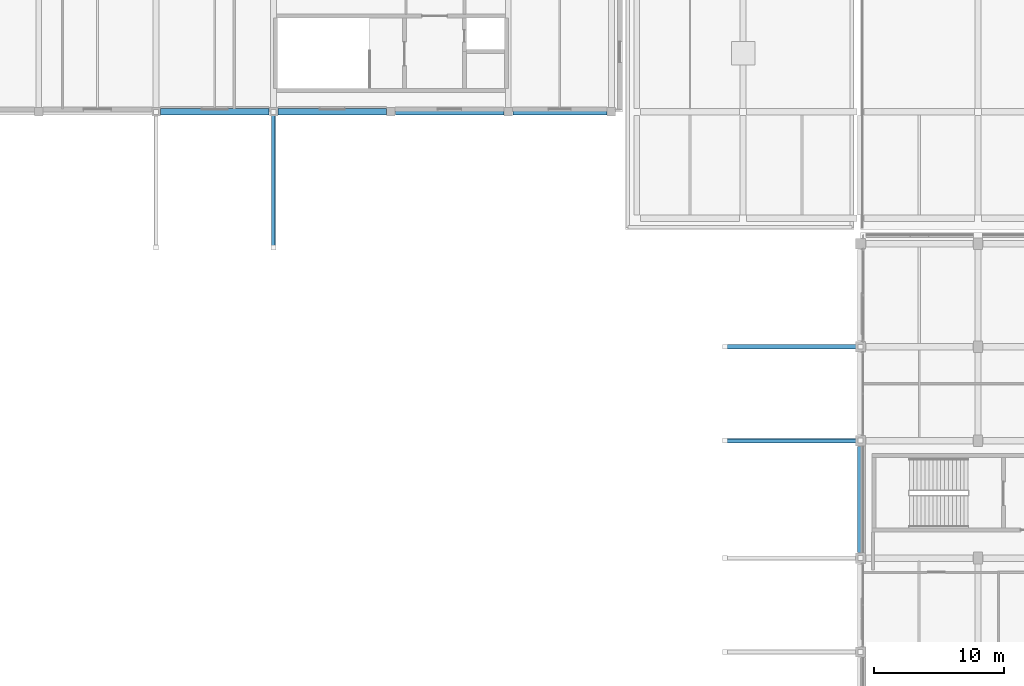
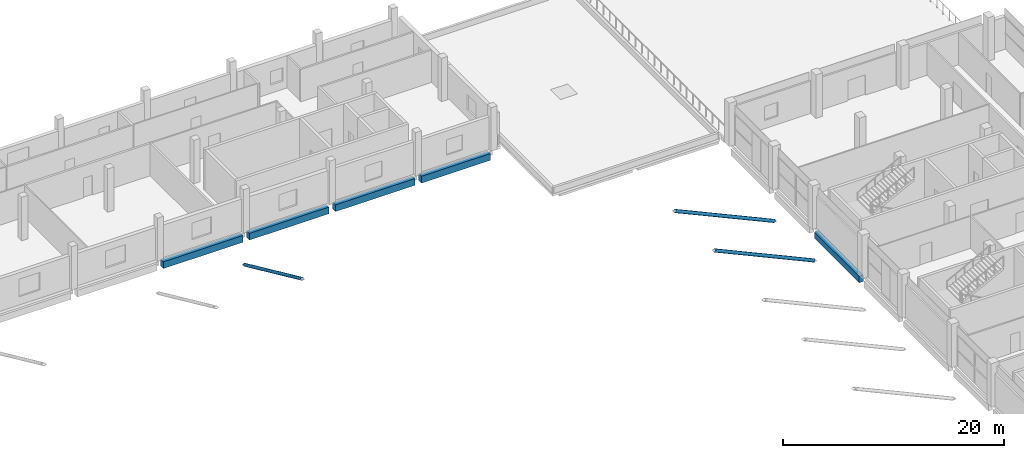
# One storey, part 29 of 82: 5 beams, 3 members.
"""IFC4 building model written with IfcOpenShell, lengths in metres."""

from ifc_helpers import new_model, si_unit, direction, frame, origin, origin_2d, place, context, subcontext, project, spatial, rectangle, hollow_circle, extrude, material, material_profile, profile_set, type_object, element, save


model = new_model("IFC4")

# Units and contexts
model_context = context("Model", 3, precision=1e-05, world=origin(), true_north=direction((0.0, 1.0)))
body_context = subcontext(model_context, "Body", "Model", "MODEL_VIEW")
ifc_project = project(units=[si_unit("LENGTHUNIT", "METRE"), si_unit("AREAUNIT", "SQUARE_METRE"), si_unit("VOLUMEUNIT", "CUBIC_METRE"), si_unit("PLANEANGLEUNIT", "RADIAN"), si_unit("MASSUNIT", "GRAM", prefix="KILO"), si_unit("THERMODYNAMICTEMPERATUREUNIT", "KELVIN"), si_unit("POWERUNIT", "WATT")], contexts=[model_context])

# Site, building, storey
site_placement = place(None, origin())
site = spatial("IfcSite", under=ifc_project, at=site_placement, CompositionType="ELEMENT")
building_placement = place(site_placement, origin())
building = spatial("IfcBuilding", under=site, at=building_placement, Name="Sindhuravela Promenade Stadium", CompositionType="ELEMENT")
storey_placement = place(building_placement, frame((0.0, 0.0, 14.39990234375)))
storey = spatial("IfcBuildingStorey", under=building, at=storey_placement, Name="L03", CompositionType="ELEMENT", Elevation=14.39990234375)

# Beams
ifc_material_1 = material(Name="Concrete M40", Category="concrete")
ifc_material_profile_1 = material_profile(ifc_material_1, rectangle(XDim=0.449951171875, YDim=0.699951171875, at=origin_2d()), Name="RC 450x700")
ifc_profile_set_1 = profile_set([ifc_material_profile_1], Name="Concrete M40")
beam_type_1 = type_object("IfcBeamType", Name="RC-BM-450x700", PredefinedType="BEAM", material=ifc_profile_set_1)
beam_1_placement = place(storey_placement, frame((180.0, 101.239990234375, -0.64990234375), z_axis=(0.0, 1.0, 0.0), x_axis=(-1.0, 0.0, 0.0)))
element("IfcBeam", 1, at=beam_1_placement, inside=storey, type_object=beam_type_1, Name="Primary beam GB07 EAST L03", PredefinedType="BEAM", context=body_context, shape_type="SweptSolid", body=[
    extrude(rectangle(XDim=0.449951171875, YDim=0.699951171875, at=origin_2d()), origin(), (0.0, 0.0, 1.0), 8.1201171875),
])
ifc_material_profile_2 = material_profile(ifc_material_1, rectangle(XDim=0.5, YDim=0.75, at=origin_2d()), Name="RC 500x750")
ifc_profile_set_2 = profile_set([ifc_material_profile_2], Name="Concrete M40")
beam_type_2 = type_object("IfcBeamType", Name="RC-BM-500x750", PredefinedType="BEAM", material=ifc_profile_set_2)
for number, where, z_axis, x_axis, name in (
    (2, (126.340087890625, 135.0, -0.6748046875), (1.0, 0.0, 0.0), (0.0, 1.0, 0.0), "Primary girder GB06 NORTH L03"),
    (3, (135.340087890625, 135.0, -0.6748046875), (1.0, 0.0, 0.0), (0.0, 1.0, 0.0), "Primary girder GB06 NORTH L03"),
    (4, (144.340087890625, 135.0, -0.6748046875), (1.0, 0.0, 0.0), (0.0, 1.0, 0.0), "Primary girder GB06 NORTH L03"),
):
    element("IfcBeam", number, at=place(storey_placement, frame(where, z_axis=z_axis, x_axis=x_axis)), inside=storey, type_object=beam_type_2, Name=name, PredefinedType="BEAM", context=body_context, shape_type="SweptSolid", body=[
        extrude(rectangle(XDim=0.5, YDim=0.75, at=origin_2d()), origin(), (0.0, 0.0, 1.0), 8.31982421875),
    ])
beam_2_placement = place(storey_placement, frame((153.340087890625, 135.0, -0.6748046875), z_axis=(1.0, 0.0, 0.0), x_axis=(0.0, 1.0, 0.0)))
element("IfcBeam", 5, at=beam_2_placement, inside=storey, type_object=beam_type_2, Name="Primary girder GB06 NORTH L03", PredefinedType="BEAM", context=body_context, shape_type="SweptSolid", body=[
    extrude(rectangle(XDim=0.5, YDim=0.75, at=origin_2d()), origin(), (0.0, 0.0, 1.0), 7.219970703125),
])

# Members
ifc_material_2 = material(Name="Steel E350 (IS 2062 E350BR)", Category="steel")
ifc_material_profile_3 = material_profile(ifc_material_2, hollow_circle(Radius=0.161865234375, WallThickness=0.011962890625, at=origin_2d()), Name="CHS 323.9x12")
ifc_profile_set_3 = profile_set([ifc_material_profile_3], Name="Steel E350 (IS 2062 E350BR)")
member_type_1 = type_object("IfcMemberType", Name="ST-MB-CHS324", PredefinedType="STRUT", material=ifc_profile_set_3)
member_placement = place(storey_placement, frame((135.0, 135.0, -3.7998046875), z_axis=(0.0, -0.9096146847750655, 0.41545291579378546), x_axis=(1.0, 0.0, 0.0)))
element("IfcMember", 6, at=member_placement, inside=storey, type_object=member_type_1, Name="Upper raker prop strut MS01 STRUT-T2-N-082", PredefinedType="STRUT", context=body_context, shape_type="SweptSolid", body=[
    extrude(hollow_circle(Radius=0.161865234375, WallThickness=0.011962890625, at=origin_2d()), origin(), (0.0, 0.0, 1.0), 11.433349609375),
])
ifc_material_profile_4 = material_profile(ifc_material_2, hollow_circle(Radius=0.177734375, WallThickness=0.011962890625, at=origin_2d()), Name="CHS 355.6x12")
ifc_profile_set_4 = profile_set([ifc_material_profile_4], Name="Steel E350 (IS 2062 E350BR)")
member_type_2 = type_object("IfcMemberType", Name="ST-MB-CHS356", PredefinedType="STRUT", material=ifc_profile_set_4)
for number, where, z_axis, x_axis, name in (
    (7, (180.0, 109.800048828125, -3.7998046875), (-0.9096146847750655, 0.0, 0.41545291579378546), (0.0, -1.0, 0.0), "Upper raker prop strut MS02 STRUT-T2-E-068"),
    (8, (180.0, 117.0, -3.7998046875), (-0.9096146847750655, 0.0, 0.41545291579378546), (0.0, -1.0, 0.0), "Upper raker prop strut MS02 STRUT-T2-E-070"),
):
    element("IfcMember", number, at=place(storey_placement, frame(where, z_axis=z_axis, x_axis=x_axis)), inside=storey, type_object=member_type_2, Name=name, PredefinedType="STRUT", context=body_context, shape_type="SweptSolid", body=[
        extrude(hollow_circle(Radius=0.177734375, WallThickness=0.011962890625, at=origin_2d()), origin(), (0.0, 0.0, 1.0), 11.433349609375),
    ])

save(model, "model.ifc")
